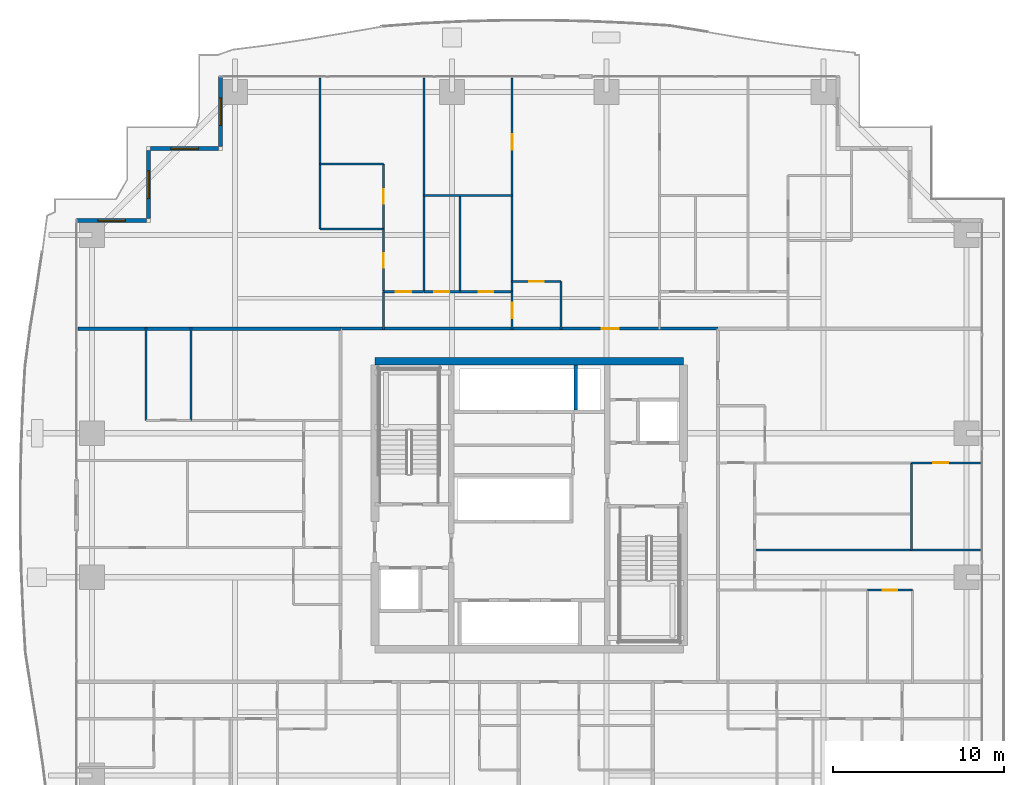
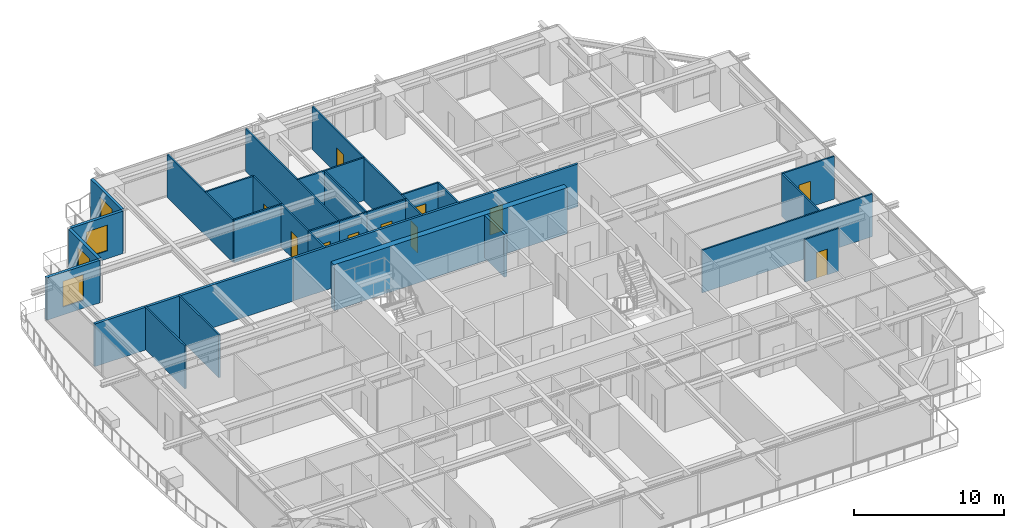
# One storey, part 27 of 35: 31 walls, 11 doors, 4 windows, 15 openings.
"""IFC4 building model written with IfcOpenShell, lengths in metres."""

from ifc_helpers import new_model, si_unit, direction, frame, frame_2d, origin, place, context, subcontext, project, spatial, rectangle, extrude, source, transform, mapped, material, layer, layer_set, type_object, element, fill, save


model = new_model("IFC4")

# Units and contexts
model_context = context("Model", 3, precision=1e-05, world=origin(), true_north=direction((0.0, 1.0)))
body_context = subcontext(model_context, "Body", "Model", "MODEL_VIEW")
ifc_project = project(units=[si_unit("LENGTHUNIT", "METRE"), si_unit("AREAUNIT", "SQUARE_METRE"), si_unit("VOLUMEUNIT", "CUBIC_METRE"), si_unit("PLANEANGLEUNIT", "RADIAN"), si_unit("MASSUNIT", "GRAM", prefix="KILO")], contexts=[model_context])

# Site, building, storey
site_placement = place(None, origin())
site = spatial("IfcSite", under=ifc_project, at=site_placement, CompositionType="ELEMENT")
building_placement = place(site_placement, origin())
building = spatial("IfcBuilding", under=site, at=building_placement, Name="Serunith Strait Residences", CompositionType="ELEMENT")
storey_placement = place(building_placement, frame((0.0, 0.0, 56.699951171875)))
storey = spatial("IfcBuildingStorey", under=building, at=storey_placement, Name="L13", CompositionType="ELEMENT", Elevation=56.699951171875)

# Wall, opening, window
ifc_material_1 = material(Name="Pale-Champagne Aluminium Insulated Panel", Category="aluminium")
ifc_layer_1 = layer(ifc_material_1, 0.219970703125, Name="Pale-Champagne Aluminium Insulated Panel")
ifc_layer_set_1 = layer_set([ifc_layer_1], Name="Pale-Champagne Aluminium Insulated Panel")
wall_type_1 = type_object("IfcWallType", Name="EW-ALUM-220", PredefinedType="ELEMENTEDWALL", material=ifc_layer_set_1)
wall_1_placement = place(storey_placement, frame((14.39990234375, 50.199951171875, 0.0), z_axis=(0.0, 0.0, 1.0), x_axis=(0.0, -1.0, 0.0)))
wall_1 = element("IfcWall", 1, at=wall_1_placement, inside=storey, type_object=wall_type_1, Name="L13 Girih Serrated Corner Wall 12", PredefinedType="ELEMENTEDWALL", context=body_context, shape_type="SweptSolid", body=[
    extrude(rectangle(XDim=4.08984375, YDim=0.219970703125, at=frame_2d((2.044921875, 0.0))), origin(), (0.0, 0.0, 1.0), 3.47509765625),
])
opening_1_placement = place(wall_1_placement, frame((1.2451171875, 0.0, 0.64990234375)))
opening_1 = element("IfcOpeningElement", 2, at=opening_1_placement, cuts=wall_1, Name="Opening W-02", PredefinedType="OPENING", context=body_context, shape_type="SweptSolid", body=[
    extrude(rectangle(XDim=1.60009765625, YDim=2.10009765625, at=frame_2d((0.800048828125, 1.050048828125))), frame((0.0, 0.1201171875, 0.0), z_axis=(0.0, -1.0, 0.0), x_axis=(1.0, 0.0, 0.0)), (0.0, 0.0, 1.0), 0.239990234375),
])
ifc_material_2 = material(Name="Ceramic-Fritted Operable Aluminium Window Glass", Category="aluminium")
window_type = type_object("IfcWindowType", Name="WIN-C2", PartitioningType="DOUBLE_PANEL_VERTICAL", PredefinedType="WINDOW", material=ifc_material_2)
shared_shape_1 = source(origin(), body_context, "Body", "SweptSolid", [
    extrude(rectangle(XDim=1.60009765625, YDim=2.10009765625, at=frame_2d((0.800048828125, 1.050048828125))), frame((0.0, 0.030029296875, 0.0), z_axis=(0.0, -1.0, 0.0), x_axis=(1.0, 0.0, 0.0)), (0.0, 0.0, 1.0), 0.06005859375),
])
window_1_placement = place(opening_1_placement, origin())
window_1 = element("IfcWindow", 3, at=window_1_placement, inside=storey, type_object=window_type, Name="L13 Corner Operable Fritted Window 12", OverallHeight=2.10009765625, OverallWidth=1.60009765625, PartitioningType="SINGLE_PANEL", PredefinedType="WINDOW", context=body_context, shape_type="MappedRepresentation", body=[
    mapped(shared_shape_1, transform((0.0, 0.0, 0.0), scale=1.0)),
])
fill(opening_1, window_1)

wall_2_placement = place(storey_placement, frame((14.2900390625, 46.0, 0.0), z_axis=(0.0, 0.0, 1.0), x_axis=(-1.0, 0.0, 0.0)))
wall_2 = element("IfcWall", 4, at=wall_2_placement, inside=storey, type_object=wall_type_1, Name="L13 Girih Serrated Corner Wall 13", PredefinedType="ELEMENTEDWALL", context=body_context, shape_type="SweptSolid", body=[
    extrude(rectangle(XDim=3.97998046875, YDim=0.219970703125, at=frame_2d((1.989990234375, 0.0))), origin(), (0.0, 0.0, 1.0), 3.47509765625),
])
opening_2_placement = place(wall_2_placement, frame((1.18994140625, 0.0, 0.64990234375)))
opening_2 = element("IfcOpeningElement", 5, at=opening_2_placement, cuts=wall_2, Name="Opening W-02", PredefinedType="OPENING", context=body_context, shape_type="SweptSolid", body=[
    extrude(rectangle(XDim=1.60009765625, YDim=2.10009765625, at=frame_2d((0.800048828125, 1.050048828125))), frame((0.0, 0.1201171875, 0.0), z_axis=(0.0, -1.0, 0.0), x_axis=(1.0, 0.0, 0.0)), (0.0, 0.0, 1.0), 0.239990234375),
])
window_2_placement = place(opening_2_placement, origin())
window_2 = element("IfcWindow", 6, at=window_2_placement, inside=storey, type_object=window_type, Name="L13 Corner Operable Fritted Window 13", OverallHeight=2.10009765625, OverallWidth=1.60009765625, PartitioningType="SINGLE_PANEL", PredefinedType="WINDOW", context=body_context, shape_type="MappedRepresentation", body=[
    mapped(shared_shape_1, transform((0.0, 0.0, 0.0), scale=1.0)),
])
fill(opening_2, window_2)

wall_3_placement = place(storey_placement, frame((10.199951171875, 45.889892578125, 0.0), z_axis=(0.0, 0.0, 1.0), x_axis=(0.0, -1.0, 0.0)))
wall_3 = element("IfcWall", 7, at=wall_3_placement, inside=storey, type_object=wall_type_1, Name="L13 Girih Serrated Corner Wall 14", PredefinedType="ELEMENTEDWALL", context=body_context, shape_type="SweptSolid", body=[
    extrude(rectangle(XDim=3.97998046875, YDim=0.219970703125, at=frame_2d((1.989990234375, 0.0))), origin(), (0.0, 0.0, 1.0), 3.47509765625),
])
opening_3_placement = place(wall_3_placement, frame((1.18994140625, 0.0, 0.64990234375)))
opening_3 = element("IfcOpeningElement", 8, at=opening_3_placement, cuts=wall_3, Name="Opening W-02", PredefinedType="OPENING", context=body_context, shape_type="SweptSolid", body=[
    extrude(rectangle(XDim=1.60009765625, YDim=2.10009765625, at=frame_2d((0.800048828125, 1.050048828125))), frame((0.0, 0.1201171875, 0.0), z_axis=(0.0, -1.0, 0.0), x_axis=(1.0, 0.0, 0.0)), (0.0, 0.0, 1.0), 0.239990234375),
])
window_3_placement = place(opening_3_placement, origin())
window_3 = element("IfcWindow", 9, at=window_3_placement, inside=storey, type_object=window_type, Name="L13 Corner Operable Fritted Window 14", OverallHeight=2.10009765625, OverallWidth=1.60009765625, PartitioningType="SINGLE_PANEL", PredefinedType="WINDOW", context=body_context, shape_type="MappedRepresentation", body=[
    mapped(shared_shape_1, transform((0.0, 0.0, 0.0), scale=1.0)),
])
fill(opening_3, window_3)

wall_4_placement = place(storey_placement, frame((10.090087890625, 41.800048828125, 0.0), z_axis=(0.0, 0.0, 1.0), x_axis=(-1.0, 0.0, 0.0)))
wall_4 = element("IfcWall", 10, at=wall_4_placement, inside=storey, type_object=wall_type_1, Name="L13 Girih Serrated Corner Wall 15", PredefinedType="ELEMENTEDWALL", context=body_context, shape_type="SweptSolid", body=[
    extrude(rectangle(XDim=4.090087890625, YDim=0.219970703125, at=frame_2d((2.044921875, 0.0))), origin(), (0.0, 0.0, 1.0), 3.47509765625),
])
opening_4_placement = place(wall_4_placement, frame((1.2451171875, 0.0, 0.64990234375)))
opening_4 = element("IfcOpeningElement", 11, at=opening_4_placement, cuts=wall_4, Name="Opening W-02", PredefinedType="OPENING", context=body_context, shape_type="SweptSolid", body=[
    extrude(rectangle(XDim=1.60009765625, YDim=2.10009765625, at=frame_2d((0.800048828125, 1.050048828125))), frame((0.0, 0.1201171875, 0.0), z_axis=(0.0, -1.0, 0.0), x_axis=(1.0, 0.0, 0.0)), (0.0, 0.0, 1.0), 0.239990234375),
])
window_4_placement = place(opening_4_placement, origin())
window_4 = element("IfcWindow", 12, at=window_4_placement, inside=storey, type_object=window_type, Name="L13 Corner Operable Fritted Window 15", OverallHeight=2.10009765625, OverallWidth=1.60009765625, PartitioningType="SINGLE_PANEL", PredefinedType="WINDOW", context=body_context, shape_type="MappedRepresentation", body=[
    mapped(shared_shape_1, transform((0.0, 0.0, 0.0), scale=1.0)),
])
fill(opening_4, window_4)

# Wall, opening, door
ifc_material_3 = material(Name="Fire-rated acoustic gypsum partition")
ifc_layer_2 = layer(ifc_material_3, 0.179931640625, Name="Fire-rated acoustic gypsum partition")
ifc_layer_set_2 = layer_set([ifc_layer_2], Name="Fire-rated acoustic gypsum partition")
wall_type_2 = type_object("IfcWallType", Name="IW-CORR-180", PredefinedType="PARTITIONING", material=ifc_layer_set_2)
wall_5_placement = place(storey_placement, frame((21.402099609375, 35.5, 0.0), z_axis=(0.0, 0.0, 1.0), x_axis=(1.0, 0.0, 0.0)))
wall_5 = element("IfcWall", 13, at=wall_5_placement, inside=storey, type_object=wall_type_2, Name="L13 Partition Wall 025", PredefinedType="PARTITIONING", context=body_context, shape_type="SweptSolid", body=[
    extrude(rectangle(XDim=21.995849609375, YDim=0.179931640625, at=frame_2d((10.998046875, 0.0))), origin(), (0.0, 0.0, 1.0), 3.489990234375),
])
opening_5_placement = place(wall_5_placement, frame((15.221923828125, 0.0, 0.0)))
opening_5 = element("IfcOpeningElement", 14, at=opening_5_placement, cuts=wall_5, Name="Opening D-APT1000", PredefinedType="OPENING", context=body_context, shape_type="SweptSolid", body=[
    extrude(rectangle(XDim=1.0, YDim=2.14990234375, at=frame_2d((0.5, 1.074951171875))), frame((0.0, 0.10009765625, 0.0), z_axis=(0.0, -1.0, 0.0), x_axis=(1.0, 0.0, 0.0)), (0.0, 0.0, 1.0), 0.199951171875),
])
ifc_material_4 = material(Name="Solid timber engineered fire door", Category="wood")
door_type_1 = type_object("IfcDoorType", Name="ID-APT-1000", OperationType="NOTDEFINED", PredefinedType="DOOR", material=ifc_material_4)
shared_shape_2 = source(origin(), body_context, "Body", "SweptSolid", [
    extrude(rectangle(XDim=1.0, YDim=2.14990234375, at=frame_2d((0.5, 1.074951171875))), frame((0.0, 0.02490234375, 0.0), z_axis=(0.0, -1.0, 0.0), x_axis=(1.0, 0.0, 0.0)), (0.0, 0.0, 1.0), 0.050048828125),
])
door_1_placement = place(opening_5_placement, origin())
door_1 = element("IfcDoor", 15, at=door_1_placement, inside=storey, type_object=door_type_1, Name="L13 Unit 05 Entrance Door", OperationType="SINGLE_SWING_LEFT", OverallHeight=2.14990234375, OverallWidth=1.0, PredefinedType="DOOR", context=body_context, shape_type="MappedRepresentation", body=[
    mapped(shared_shape_2, transform((0.0, 0.0, 0.0), scale=1.0)),
])
fill(opening_5, door_1)

ifc_material_5 = material(Name="Lightweight steel-stud gypsum partition", Category="steel")
ifc_layer_3 = layer(ifc_material_5, 0.1201171875, Name="Lightweight steel-stud gypsum partition")
ifc_layer_set_3 = layer_set([ifc_layer_3], Name="Lightweight steel-stud gypsum partition")
wall_type_3 = type_object("IfcWallType", Name="IW-PART-120", PredefinedType="PARTITIONING", material=ifc_layer_set_3)
wall_6_placement = place(storey_placement, frame((31.39990234375, 38.25, 0.0), z_axis=(0.0, 0.0, 1.0), x_axis=(1.0, 0.0, 0.0)))
wall_6 = element("IfcWall", 16, at=wall_6_placement, inside=storey, type_object=wall_type_3, Name="L13 Partition Wall 066", PredefinedType="PARTITIONING", context=body_context, shape_type="SweptSolid", body=[
    extrude(rectangle(XDim=2.85009765625, YDim=0.1201171875, at=frame_2d((1.425048828125, 0.0))), origin(), (0.0, 0.0, 1.0), 3.489990234375),
])
opening_6_placement = place(wall_6_placement, frame((1.0, 0.0, 0.0)))
opening_6 = element("IfcOpeningElement", 17, at=opening_6_placement, cuts=wall_6, Name="Opening D-RM850", PredefinedType="OPENING", context=body_context, shape_type="SweptSolid", body=[
    extrude(rectangle(XDim=0.85009765625, YDim=2.10009765625, at=frame_2d((0.425048828125, 1.050048828125))), frame((0.0, 0.070068359375, 0.0), z_axis=(0.0, -1.0, 0.0), x_axis=(1.0, 0.0, 0.0)), (0.0, 0.0, 1.0), 0.14013671875),
])
ifc_material_6 = material(Name="Engineered timber flush study and kitchen door", Category="wood")
door_type_2 = type_object("IfcDoorType", Name="ID-ROOM-850", OperationType="NOTDEFINED", PredefinedType="DOOR", material=ifc_material_6)
shared_shape_3 = source(origin(), body_context, "Body", "SweptSolid", [
    extrude(rectangle(XDim=0.85009765625, YDim=2.10009765625, at=frame_2d((0.425048828125, 1.050048828125))), frame((0.0, 0.02490234375, 0.0), z_axis=(0.0, -1.0, 0.0), x_axis=(1.0, 0.0, 0.0)), (0.0, 0.0, 1.0), 0.050048828125),
])
door_2_placement = place(opening_6_placement, origin())
door_2 = element("IfcDoor", 18, at=door_2_placement, inside=storey, type_object=door_type_2, Name="L13 Kitchen 1305 Door", OperationType="SINGLE_SWING_RIGHT", OverallHeight=2.10009765625, OverallWidth=0.85009765625, PredefinedType="DOOR", context=body_context, shape_type="MappedRepresentation", body=[
    mapped(shared_shape_3, transform((0.0, 0.0, 0.0), scale=1.0)),
])
fill(opening_6, door_2)

# Wall
wall_7_placement = place(storey_placement, frame((34.25, 38.25, 0.0), z_axis=(0.0, 0.0, 1.0), x_axis=(0.0, -1.0, 0.0)))
element("IfcWall", 19, at=wall_7_placement, inside=storey, type_object=wall_type_3, Name="L13 Partition Wall 067", PredefinedType="PARTITIONING", context=body_context, shape_type="SweptSolid", body=[
    extrude(rectangle(XDim=2.81005859375, YDim=0.1201171875, at=frame_2d((1.405029296875, 0.0))), origin(), (0.0, 0.0, 1.0), 3.489990234375),
])

# Wall, opening, door
wall_8_placement = place(storey_placement, frame((31.39990234375, 37.64990234375, 0.0), z_axis=(0.0, 0.0, 1.0), x_axis=(0.0, -1.0, 0.0)))
wall_8 = element("IfcWall", 20, at=wall_8_placement, inside=storey, type_object=wall_type_3, Name="L13 Partition Wall 068", PredefinedType="PARTITIONING", context=body_context, shape_type="SweptSolid", body=[
    extrude(rectangle(XDim=2.2099609375, YDim=0.1201171875, at=frame_2d((1.10498046875, 0.0))), origin(), (0.0, 0.0, 1.0), 3.489990234375),
])
opening_7_placement = place(wall_8_placement, frame((0.655029296875, 0.0, 0.0)))
opening_7 = element("IfcOpeningElement", 21, at=opening_7_placement, cuts=wall_8, Name="Opening D-RM900", PredefinedType="OPENING", context=body_context, shape_type="SweptSolid", body=[
    extrude(rectangle(XDim=0.89990234375, YDim=2.10009765625, at=frame_2d((0.449951171875, 1.050048828125))), frame((0.0, 0.070068359375, 0.0), z_axis=(0.0, -1.0, 0.0), x_axis=(1.0, 0.0, 0.0)), (0.0, 0.0, 1.0), 0.14013671875),
])
ifc_material_7 = material(Name="Engineered timber flush bedroom door", Category="wood")
door_type_3 = type_object("IfcDoorType", Name="ID-ROOM-900", OperationType="NOTDEFINED", PredefinedType="DOOR", material=ifc_material_7)
shared_shape_4 = source(origin(), body_context, "Body", "SweptSolid", [
    extrude(rectangle(XDim=0.89990234375, YDim=2.10009765625, at=frame_2d((0.449951171875, 1.050048828125))), frame((0.0, 0.02490234375, 0.0), z_axis=(0.0, -1.0, 0.0), x_axis=(1.0, 0.0, 0.0)), (0.0, 0.0, 1.0), 0.050048828125),
])
door_3_placement = place(opening_7_placement, origin())
door_3 = element("IfcDoor", 22, at=door_3_placement, inside=storey, type_object=door_type_3, Name="L13 Hall W 1305 Door", OperationType="SINGLE_SWING_LEFT", OverallHeight=2.10009765625, OverallWidth=0.89990234375, PredefinedType="DOOR", context=body_context, shape_type="MappedRepresentation", body=[
    mapped(shared_shape_4, transform((0.0, 0.0, 0.0), scale=1.0)),
])
fill(opening_7, door_3)

wall_9_placement = place(storey_placement, frame((31.39990234375, 50.10498046875, 0.0), z_axis=(0.0, 0.0, 1.0), x_axis=(0.0, -1.0, 0.0)))
wall_9 = element("IfcWall", 23, at=wall_9_placement, inside=storey, type_object=wall_type_3, Name="L13 Partition Wall 069", PredefinedType="PARTITIONING", context=body_context, shape_type="SweptSolid", body=[
    extrude(rectangle(XDim=6.85107421875, YDim=0.1201171875, at=frame_2d((3.425537109375, 0.0))), origin(), (0.0, 0.0, 1.0), 3.489990234375),
])
opening_8_placement = place(wall_9_placement, frame((3.27294921875, 0.0, 0.0)))
opening_8 = element("IfcOpeningElement", 24, at=opening_8_placement, cuts=wall_9, Name="Opening D-RM900", PredefinedType="OPENING", context=body_context, shape_type="SweptSolid", body=[
    extrude(rectangle(XDim=0.89990234375, YDim=2.10009765625, at=frame_2d((0.449951171875, 1.050048828125))), frame((0.0, 0.070068359375, 0.0), z_axis=(0.0, -1.0, 0.0), x_axis=(1.0, 0.0, 0.0)), (0.0, 0.0, 1.0), 0.14013671875),
])
door_4_placement = place(opening_8_placement, origin())
door_4 = element("IfcDoor", 25, at=door_4_placement, inside=storey, type_object=door_type_3, Name="L13 Formal Dining Room 1 1305 Door", OperationType="SINGLE_SWING_RIGHT", OverallHeight=2.10009765625, OverallWidth=0.89990234375, PredefinedType="DOOR", context=body_context, shape_type="MappedRepresentation", body=[
    mapped(shared_shape_4, transform((0.0, 0.0, 0.0), scale=1.0)),
])
fill(opening_8, door_4)

# Walls
wall_10_placement = place(storey_placement, frame((31.39990234375, 43.251953125, 0.0), z_axis=(0.0, 0.0, 1.0), x_axis=(0.0, -1.0, 0.0)))
element("IfcWall", 26, at=wall_10_placement, inside=storey, type_object=wall_type_3, Name="L13 Partition Wall 070", PredefinedType="PARTITIONING", context=body_context, shape_type="SweptSolid", body=[
    extrude(rectangle(XDim=5.599853515625, YDim=0.1201171875, at=frame_2d((2.7998046875, 0.0))), origin(), (0.0, 0.0, 1.0), 3.489990234375),
])
wall_11_placement = place(storey_placement, frame((26.25, 43.25390625, 0.0), z_axis=(0.0, 0.0, 1.0), x_axis=(1.0, 0.0, 0.0)))
element("IfcWall", 27, at=wall_11_placement, inside=storey, type_object=wall_type_3, Name="L13 Partition Wall 071", PredefinedType="PARTITIONING", context=body_context, shape_type="SweptSolid", body=[
    extrude(rectangle(XDim=5.14990234375, YDim=0.1201171875, at=frame_2d((2.574951171875, 0.0))), origin(), (0.0, 0.0, 1.0), 3.489990234375),
])
wall_12_placement = place(storey_placement, frame((26.25, 50.10498046875, 0.0), z_axis=(0.0, 0.0, 1.0), x_axis=(0.0, -1.0, 0.0)))
element("IfcWall", 28, at=wall_12_placement, inside=storey, type_object=wall_type_3, Name="L13 Partition Wall 072", PredefinedType="PARTITIONING", context=body_context, shape_type="SweptSolid", body=[
    extrude(rectangle(XDim=12.455078125, YDim=0.1201171875, at=frame_2d((6.2275390625, 0.0))), origin(), (0.0, 0.0, 1.0), 3.489990234375),
])
wall_13_placement = place(storey_placement, frame((28.35009765625, 43.25390625, 0.0), z_axis=(0.0, 0.0, 1.0), x_axis=(0.0, -1.0, 0.0)))
element("IfcWall", 29, at=wall_13_placement, inside=storey, type_object=wall_type_3, Name="L13 Partition Wall 073", PredefinedType="PARTITIONING", context=body_context, shape_type="SweptSolid", body=[
    extrude(rectangle(XDim=5.60400390625, YDim=0.1201171875, at=frame_2d((2.802001953125, 0.0))), origin(), (0.0, 0.0, 1.0), 3.489990234375),
])

# Wall, opening, door
wall_14_placement = place(storey_placement, frame((26.25, 37.64990234375, 0.0), z_axis=(0.0, 0.0, 1.0), x_axis=(1.0, 0.0, 0.0)))
wall_14 = element("IfcWall", 30, at=wall_14_placement, inside=storey, type_object=wall_type_3, Name="L13 Partition Wall 074", PredefinedType="PARTITIONING", context=body_context, shape_type="SweptSolid", body=[
    extrude(rectangle(XDim=2.10009765625, YDim=0.1201171875, at=frame_2d((1.050048828125, 0.0))), origin(), (0.0, 0.0, 1.0), 3.489990234375),
])
opening_9_placement = place(wall_14_placement, frame((0.625, 0.0, 0.0)))
opening_9 = element("IfcOpeningElement", 31, at=opening_9_placement, cuts=wall_14, Name="Opening D-BTH850", PredefinedType="OPENING", context=body_context, shape_type="SweptSolid", body=[
    extrude(rectangle(XDim=0.85009765625, YDim=2.10009765625, at=frame_2d((0.425048828125, 1.050048828125))), frame((0.0, 0.070068359375, 0.0), z_axis=(0.0, -1.0, 0.0), x_axis=(1.0, 0.0, 0.0)), (0.0, 0.0, 1.0), 0.14013671875),
])
ifc_material_8 = material(Name="Moisture-resistant timber bathroom door", Category="wood")
door_type_4 = type_object("IfcDoorType", Name="ID-BATH-850", OperationType="NOTDEFINED", PredefinedType="DOOR", material=ifc_material_8)
door_5_placement = place(opening_9_placement, origin())
door_5 = element("IfcDoor", 32, at=door_5_placement, inside=storey, type_object=door_type_4, Name="L13 Bathroom 1305 Door", OperationType="SINGLE_SWING_LEFT", OverallHeight=2.10009765625, OverallWidth=0.85009765625, PredefinedType="DOOR", context=body_context, shape_type="MappedRepresentation", body=[
    mapped(shared_shape_3, transform((0.0, 0.0, 0.0), scale=1.0)),
])
fill(opening_9, door_5)

wall_15_placement = place(storey_placement, frame((28.35205078125, 37.64990234375, 0.0), z_axis=(0.0, 0.0, 1.0), x_axis=(1.0, 0.0, 0.0)))
wall_15 = element("IfcWall", 33, at=wall_15_placement, inside=storey, type_object=wall_type_3, Name="L13 Partition Wall 075", PredefinedType="PARTITIONING", context=body_context, shape_type="SweptSolid", body=[
    extrude(rectangle(XDim=3.0478515625, YDim=0.1201171875, at=frame_2d((1.52392578125, 0.0))), origin(), (0.0, 0.0, 1.0), 3.489990234375),
])
opening_10_placement = place(wall_15_placement, frame((1.09912109375, 0.0, 0.0)))
opening_10 = element("IfcOpeningElement", 34, at=opening_10_placement, cuts=wall_15, Name="Opening D-RM850", PredefinedType="OPENING", context=body_context, shape_type="SweptSolid", body=[
    extrude(rectangle(XDim=0.85009765625, YDim=2.10009765625, at=frame_2d((0.425048828125, 1.050048828125))), frame((0.0, 0.070068359375, 0.0), z_axis=(0.0, -1.0, 0.0), x_axis=(1.0, 0.0, 0.0)), (0.0, 0.0, 1.0), 0.14013671875),
])
door_6_placement = place(opening_10_placement, origin())
door_6 = element("IfcDoor", 35, at=door_6_placement, inside=storey, type_object=door_type_2, Name="L13 Formal Dining Room 1305 Door", OperationType="SINGLE_SWING_RIGHT", OverallHeight=2.10009765625, OverallWidth=0.85009765625, PredefinedType="DOOR", context=body_context, shape_type="MappedRepresentation", body=[
    mapped(shared_shape_3, transform((0.0, 0.0, 0.0), scale=1.0)),
])
fill(opening_10, door_6)

wall_16_placement = place(storey_placement, frame((23.89990234375, 37.64990234375, 0.0), z_axis=(0.0, 0.0, 1.0), x_axis=(1.0, 0.0, 0.0)))
wall_16 = element("IfcWall", 36, at=wall_16_placement, inside=storey, type_object=wall_type_3, Name="L13 Partition Wall 076", PredefinedType="PARTITIONING", context=body_context, shape_type="SweptSolid", body=[
    extrude(rectangle(XDim=2.34814453125, YDim=0.1201171875, at=frame_2d((1.174072265625, 0.0))), origin(), (0.0, 0.0, 1.0), 3.489990234375),
])
opening_11_placement = place(wall_16_placement, frame((0.72412109375, 0.0, 0.0)))
opening_11 = element("IfcOpeningElement", 37, at=opening_11_placement, cuts=wall_16, Name="Opening D-RM900", PredefinedType="OPENING", context=body_context, shape_type="SweptSolid", body=[
    extrude(rectangle(XDim=0.89990234375, YDim=2.10009765625, at=frame_2d((0.449951171875, 1.050048828125))), frame((0.0, 0.070068359375, 0.0), z_axis=(0.0, -1.0, 0.0), x_axis=(1.0, 0.0, 0.0)), (0.0, 0.0, 1.0), 0.14013671875),
])
door_7_placement = place(opening_11_placement, origin())
door_7 = element("IfcDoor", 38, at=door_7_placement, inside=storey, type_object=door_type_3, Name="L13 Master Bedroom W 1305 Door", OperationType="SINGLE_SWING_LEFT", OverallHeight=2.10009765625, OverallWidth=0.89990234375, PredefinedType="DOOR", context=body_context, shape_type="MappedRepresentation", body=[
    mapped(shared_shape_4, transform((0.0, 0.0, 0.0), scale=1.0)),
])
fill(opening_11, door_7)

# Walls
wall_17_placement = place(storey_placement, frame((20.199951171875, 45.091064453125, 0.0), z_axis=(0.0, 0.0, 1.0), x_axis=(1.0, 0.0, 0.0)))
element("IfcWall", 39, at=wall_17_placement, inside=storey, type_object=wall_type_3, Name="L13 Partition Wall 077", PredefinedType="PARTITIONING", context=body_context, shape_type="SweptSolid", body=[
    extrude(rectangle(XDim=3.699951171875, YDim=0.1201171875, at=frame_2d((1.85009765625, 0.0))), origin(), (0.0, 0.0, 1.0), 3.489990234375),
])
wall_18_placement = place(storey_placement, frame((20.199951171875, 50.10498046875, 0.0), z_axis=(0.0, 0.0, 1.0), x_axis=(0.0, -1.0, 0.0)))
element("IfcWall", 40, at=wall_18_placement, inside=storey, type_object=wall_type_3, Name="L13 Partition Wall 078", PredefinedType="PARTITIONING", context=body_context, shape_type="SweptSolid", body=[
    extrude(rectangle(XDim=8.798095703125, YDim=0.1201171875, at=frame_2d((4.39892578125, 0.0))), origin(), (0.0, 0.0, 1.0), 3.489990234375),
])
wall_19_placement = place(storey_placement, frame((20.199951171875, 41.306884765625, 0.0), z_axis=(0.0, 0.0, 1.0), x_axis=(1.0, 0.0, 0.0)))
element("IfcWall", 41, at=wall_19_placement, inside=storey, type_object=wall_type_3, Name="L13 Partition Wall 079", PredefinedType="PARTITIONING", context=body_context, shape_type="SweptSolid", body=[
    extrude(rectangle(XDim=3.699951171875, YDim=0.1201171875, at=frame_2d((1.85009765625, 0.0))), origin(), (0.0, 0.0, 1.0), 3.489990234375),
])

# Wall, opening, door
wall_20_placement = place(storey_placement, frame((23.89990234375, 45.091064453125, 0.0), z_axis=(0.0, 0.0, 1.0), x_axis=(0.0, -1.0, 0.0)))
wall_20 = element("IfcWall", 42, at=wall_20_placement, inside=storey, type_object=wall_type_3, Name="L13 Partition Wall 080", PredefinedType="PARTITIONING", context=body_context, shape_type="SweptSolid", body=[
    extrude(rectangle(XDim=3.7841796875, YDim=0.1201171875, at=frame_2d((1.89208984375, 0.0))), origin(), (0.0, 0.0, 1.0), 3.489990234375),
])
opening_12_placement = place(wall_20_placement, frame((1.467041015625, 0.0, 0.0)))
opening_12 = element("IfcOpeningElement", 43, at=opening_12_placement, cuts=wall_20, Name="Opening D-BTH850", PredefinedType="OPENING", context=body_context, shape_type="SweptSolid", body=[
    extrude(rectangle(XDim=0.85009765625, YDim=2.10009765625, at=frame_2d((0.425048828125, 1.050048828125))), frame((0.0, 0.070068359375, 0.0), z_axis=(0.0, -1.0, 0.0), x_axis=(1.0, 0.0, 0.0)), (0.0, 0.0, 1.0), 0.14013671875),
])
door_8_placement = place(opening_12_placement, origin())
door_8 = element("IfcDoor", 44, at=door_8_placement, inside=storey, type_object=door_type_4, Name="L13 En-suite Bathroom W 1305 Door", OperationType="SINGLE_SWING_RIGHT", OverallHeight=2.10009765625, OverallWidth=0.85009765625, PredefinedType="DOOR", context=body_context, shape_type="MappedRepresentation", body=[
    mapped(shared_shape_3, transform((0.0, 0.0, 0.0), scale=1.0)),
])
fill(opening_12, door_8)

wall_21_placement = place(storey_placement, frame((23.89990234375, 41.304931640625, 0.0), z_axis=(0.0, 0.0, 1.0), x_axis=(0.0, -1.0, 0.0)))
wall_21 = element("IfcWall", 45, at=wall_21_placement, inside=storey, type_object=wall_type_3, Name="L13 Partition Wall 081", PredefinedType="PARTITIONING", context=body_context, shape_type="SweptSolid", body=[
    extrude(rectangle(XDim=3.655029296875, YDim=0.1201171875, at=frame_2d((1.82763671875, 0.0))), origin(), (0.0, 0.0, 1.0), 3.489990234375),
])
opening_13_placement = place(wall_21_placement, frame((1.403076171875, 0.0, 0.0)))
opening_13 = element("IfcOpeningElement", 46, at=opening_13_placement, cuts=wall_21, Name="Opening D-RM850", PredefinedType="OPENING", context=body_context, shape_type="SweptSolid", body=[
    extrude(rectangle(XDim=0.85009765625, YDim=2.10009765625, at=frame_2d((0.425048828125, 1.050048828125))), frame((0.0, 0.070068359375, 0.0), z_axis=(0.0, -1.0, 0.0), x_axis=(1.0, 0.0, 0.0)), (0.0, 0.0, 1.0), 0.14013671875),
])
door_9_placement = place(opening_13_placement, origin())
door_9 = element("IfcDoor", 47, at=door_9_placement, inside=storey, type_object=door_type_2, Name="L13 Wardrobe W 1305 Door", OperationType="SINGLE_SWING_LEFT", OverallHeight=2.10009765625, OverallWidth=0.85009765625, PredefinedType="DOOR", context=body_context, shape_type="MappedRepresentation", body=[
    mapped(shared_shape_3, transform((0.0, 0.0, 0.0), scale=1.0)),
])
fill(opening_13, door_9)

# Walls
wall_22_placement = place(storey_placement, frame((23.89990234375, 37.64794921875, 0.0), z_axis=(0.0, 0.0, 1.0), x_axis=(0.0, -1.0, 0.0)))
element("IfcWall", 48, at=wall_22_placement, inside=storey, type_object=wall_type_3, Name="L13 Partition Wall 082", PredefinedType="PARTITIONING", context=body_context, shape_type="SweptSolid", body=[
    extrude(rectangle(XDim=2.2080078125, YDim=0.1201171875, at=frame_2d((1.10400390625, 0.0))), origin(), (0.0, 0.0, 1.0), 3.489990234375),
])
for number, where, z_axis, x_axis, name in (
    (49, (10.050048828125, 30.14990234375, 0.0), (0.0, 0.0, 1.0), (0.0, 1.0, 0.0), "L13 Partition Wall 109"),
    (50, (12.6669921875, 30.14990234375, 0.0), (0.0, 0.0, 1.0), (0.0, 1.0, 0.0), "L13 Partition Wall 110"),
):
    element("IfcWall", number, at=place(storey_placement, frame(where, z_axis=z_axis, x_axis=x_axis)), inside=storey, type_object=wall_type_3, Name=name, PredefinedType="PARTITIONING", context=body_context, shape_type="SweptSolid", body=[
        extrude(rectangle(XDim=5.41015625, YDim=0.1201171875, at=frame_2d((2.705078125, 0.0))), origin(), (0.0, 0.0, 1.0), 3.489990234375),
    ])

# Wall, opening, door
wall_23_placement = place(storey_placement, frame((58.705078125, 27.669921875, 0.0), z_axis=(0.0, 0.0, 1.0), x_axis=(-1.0, 0.0, 0.0)))
wall_23 = element("IfcWall", 51, at=wall_23_placement, inside=storey, type_object=wall_type_3, Name="L13 Partition Wall 117", PredefinedType="PARTITIONING", context=body_context, shape_type="SweptSolid", body=[
    extrude(rectangle(XDim=4.024169921875, YDim=0.1201171875, at=frame_2d((2.01220703125, 0.0))), origin(), (0.0, 0.0, 1.0), 3.489990234375),
])
opening_14_placement = place(wall_23_placement, frame((1.85791015625, 0.0, 0.0)))
opening_14 = element("IfcOpeningElement", 52, at=opening_14_placement, cuts=wall_23, Name="Opening D-RM900", PredefinedType="OPENING", context=body_context, shape_type="SweptSolid", body=[
    extrude(rectangle(XDim=0.89990234375, YDim=2.10009765625, at=frame_2d((0.449951171875, 1.050048828125))), frame((0.0, 0.070068359375, 0.0), z_axis=(0.0, -1.0, 0.0), x_axis=(1.0, 0.0, 0.0)), (0.0, 0.0, 1.0), 0.14013671875),
])
door_10_placement = place(opening_14_placement, origin())
door_10 = element("IfcDoor", 53, at=door_10_placement, inside=storey, type_object=door_type_3, Name="L13 Study 1 1307 Door", OperationType="SINGLE_SWING_LEFT", OverallHeight=2.10009765625, OverallWidth=0.89990234375, PredefinedType="DOOR", context=body_context, shape_type="MappedRepresentation", body=[
    mapped(shared_shape_4, transform((0.0, 0.0, 0.0), scale=1.0)),
])
fill(opening_14, door_10)

# Walls
wall_24_placement = place(storey_placement, frame((54.680908203125, 22.60009765625, 0.0), z_axis=(0.0, 0.0, 1.0), x_axis=(0.0, 1.0, 0.0)))
element("IfcWall", 54, at=wall_24_placement, inside=storey, type_object=wall_type_3, Name="L13 Partition Wall 119", PredefinedType="PARTITIONING", context=body_context, shape_type="SweptSolid", body=[
    extrude(rectangle(XDim=5.06982421875, YDim=0.1201171875, at=frame_2d((2.534912109375, 0.0))), origin(), (0.0, 0.0, 1.0), 3.489990234375),
])
wall_25_placement = place(storey_placement, frame((58.705078125, 22.60009765625, 0.0), z_axis=(0.0, 0.0, 1.0), x_axis=(-1.0, 0.0, 0.0)))
element("IfcWall", 55, at=wall_25_placement, inside=storey, type_object=wall_type_3, Name="L13 Partition Wall 120", PredefinedType="PARTITIONING", context=body_context, shape_type="SweptSolid", body=[
    extrude(rectangle(XDim=13.155029296875, YDim=0.1201171875, at=frame_2d((6.57763671875, 0.0))), origin(), (0.0, 0.0, 1.0), 3.489990234375),
])

# Wall, opening, door
wall_26_placement = place(storey_placement, frame((54.75, 20.25, 0.0), z_axis=(0.0, 0.0, 1.0), x_axis=(-1.0, 0.0, 0.0)))
wall_26 = element("IfcWall", 56, at=wall_26_placement, inside=storey, type_object=wall_type_3, Name="L13 Partition Wall 127", PredefinedType="PARTITIONING", context=body_context, shape_type="SweptSolid", body=[
    extrude(rectangle(XDim=2.616943359375, YDim=0.1201171875, at=frame_2d((1.30859375, 0.0))), origin(), (0.0, 0.0, 1.0), 3.489990234375),
])
opening_15_placement = place(wall_26_placement, frame((0.883056640625, 0.0, 0.0)))
opening_15 = element("IfcOpeningElement", 57, at=opening_15_placement, cuts=wall_26, Name="Opening D-BTH850", PredefinedType="OPENING", context=body_context, shape_type="SweptSolid", body=[
    extrude(rectangle(XDim=0.85009765625, YDim=2.10009765625, at=frame_2d((0.425048828125, 1.050048828125))), frame((0.0, 0.070068359375, 0.0), z_axis=(0.0, -1.0, 0.0), x_axis=(1.0, 0.0, 0.0)), (0.0, 0.0, 1.0), 0.14013671875),
])
door_11_placement = place(opening_15_placement, origin())
door_11 = element("IfcDoor", 58, at=door_11_placement, inside=storey, type_object=door_type_4, Name="L13 En-suite Bathroom W 1307 Door", OperationType="SINGLE_SWING_LEFT", OverallHeight=2.10009765625, OverallWidth=0.85009765625, PredefinedType="DOOR", context=body_context, shape_type="MappedRepresentation", body=[
    mapped(shared_shape_3, transform((0.0, 0.0, 0.0), scale=1.0)),
])
fill(opening_15, door_11)

# Walls
ifc_material_9 = material(Name="Twin-stud acoustic gypsum board partition")
ifc_layer_4 = layer(ifc_material_9, 0.199951171875, Name="Twin-stud acoustic gypsum board partition")
ifc_layer_set_4 = layer_set([ifc_layer_4], Name="Twin-stud acoustic gypsum board partition")
wall_type_4 = type_object("IfcWallType", Name="IW-PARTY-200", PredefinedType="PARTITIONING", material=ifc_layer_set_4)
wall_27_placement = place(storey_placement, frame((6.08203125, 35.5, 0.0), z_axis=(0.0, 0.0, 1.0), x_axis=(1.0, 0.0, 0.0)))
element("IfcWall", 59, at=wall_27_placement, inside=storey, type_object=wall_type_4, Name="L13 Partition Wall 022", PredefinedType="PARTITIONING", context=body_context, shape_type="SweptSolid", body=[
    extrude(rectangle(XDim=15.31787109375, YDim=0.199951171875, at=frame_2d((7.658935546875, 0.0))), origin(), (0.0, 0.0, 1.0), 3.489990234375),
])
ifc_material_10 = material(Name="Autoclaved aerated concrete blockwork", Category="masonry")
ifc_layer_5 = layer(ifc_material_10, 0.199951171875, Name="Autoclaved aerated concrete blockwork")
ifc_layer_set_5 = layer_set([ifc_layer_5], Name="Autoclaved aerated concrete blockwork")
wall_type_5 = type_object("IfcWallType", Name="IW-SHAFT-200", PredefinedType="STANDARD", material=ifc_layer_set_5)
wall_28_placement = place(storey_placement, frame((35.10009765625, 30.75, 0.0), z_axis=(0.0, 0.0, 1.0), x_axis=(0.0, 1.0, 0.0)))
element("IfcWall", 60, at=wall_28_placement, inside=storey, type_object=wall_type_5, Name="L13 SL-1 West Shaft Wall", PredefinedType="STANDARD", context=body_context, shape_type="SweptSolid", body=[
    extrude(rectangle(XDim=2.625, YDim=0.199951171875, at=frame_2d((1.3125, 0.0))), origin(), (0.0, 0.0, 1.0), 3.489990234375),
])
ifc_material_11 = material(Name="Concrete C80/95", Category="concrete")
ifc_layer_6 = layer(ifc_material_11, 0.449951171875, Name="Concrete C80/95")
ifc_layer_set_6 = layer_set([ifc_layer_6], Name="Concrete C80/95")
wall_type_6 = type_object("IfcWallType", Name="SW-450-C80", PredefinedType="SHEAR", material=ifc_layer_set_6)
wall_29_placement = place(storey_placement, frame((41.39990234375, 33.60009765625, -0.260009765625), z_axis=(0.0, 0.0, 1.0), x_axis=(-1.0, 0.0, 0.0)))
element("IfcWall", 61, at=wall_29_placement, inside=storey, type_object=wall_type_6, Name="L13 Core North Shear Wall", PredefinedType="SHEAR", context=body_context, shape_type="SweptSolid", body=[
    extrude(rectangle(XDim=18.0, YDim=0.449951171875, at=frame_2d((9.0, 0.0))), origin(), (0.0, 0.0, 1.0), 3.748046875),
])

save(model, "model.ifc")
